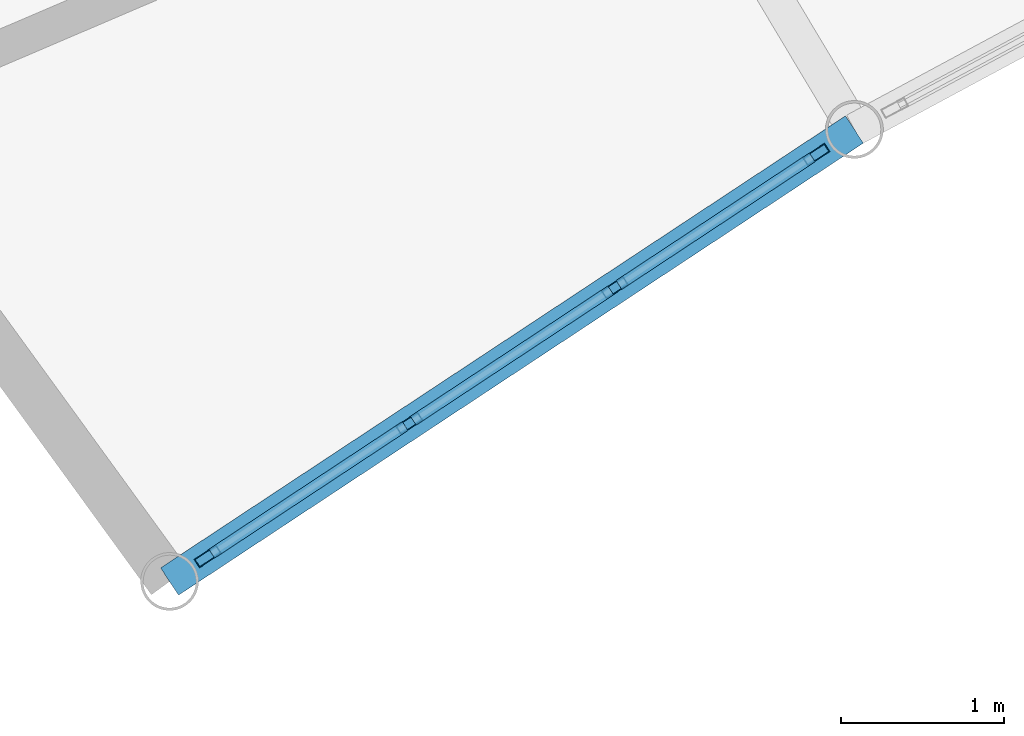
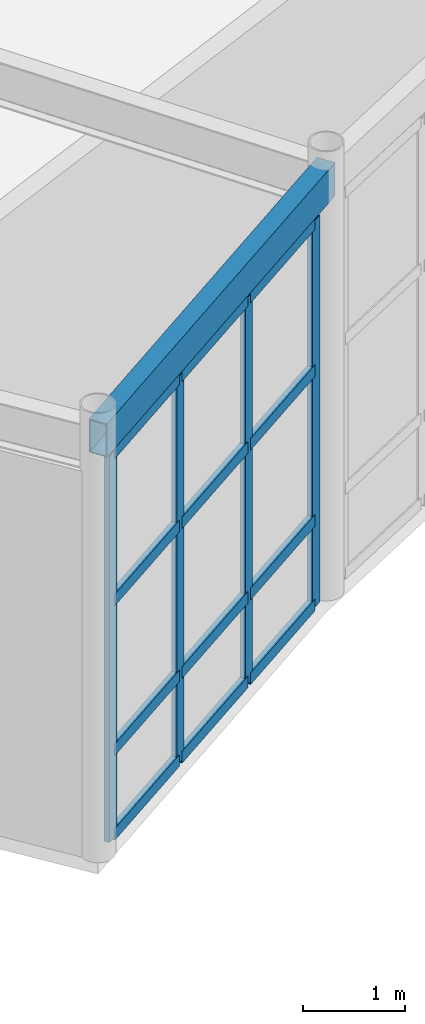
# One storey, part 42 of 87: 16 members, 1 beam, 1 element without a shape of its own.
"""IFC4 building model written with IfcOpenShell, lengths in metres."""

from ifc_helpers import new_model, si_unit, direction, frame, origin, origin_2d, place, context, subcontext, project, spatial, hollow_rectangle, extrude, material, layer, layer_set, material_profile, profile_set, type_object, element, aggregate, save


model = new_model("IFC4")

# Units and contexts
model_context = context("Model", 3, precision=1e-05, world=origin(), true_north=direction((0.0, 1.0)))
body_context = subcontext(model_context, "Body", "Model", "MODEL_VIEW")
ifc_project = project(units=[si_unit("LENGTHUNIT", "METRE"), si_unit("AREAUNIT", "SQUARE_METRE"), si_unit("VOLUMEUNIT", "CUBIC_METRE"), si_unit("PLANEANGLEUNIT", "RADIAN"), si_unit("MASSUNIT", "GRAM", prefix="KILO")], contexts=[model_context])

# Site, building, storey
site_placement = place(None, origin())
site = spatial("IfcSite", under=ifc_project, at=site_placement, CompositionType="ELEMENT")
building_placement = place(site_placement, origin())
building = spatial("IfcBuilding", under=site, at=building_placement, Name="Selat Folded Stagehouse", CompositionType="ELEMENT")
storey_placement = place(building_placement, origin())
storey = spatial("IfcBuildingStorey", under=building, at=storey_placement, Name="L00", CompositionType="ELEMENT", Elevation=0.0)

# Curtain wall, members
ifc_material_1 = material(Name="Aluminium 6063-T6", Category="aluminium")
ifc_layer = layer(ifc_material_1, 0.18994140625)
ifc_layer_set = layer_set([ifc_layer], Name="Aluminium 6063-T6")
curtain_wall_type = type_object("IfcCurtainWallType", Name="CW-REH-ARC", PredefinedType="NOTDEFINED", material=ifc_layer_set)
curtain_wall_placement = place(storey_placement, origin())
curtain_wall = element("IfcCurtainWall", 1, at=curtain_wall_placement, inside=storey, type_object=curtain_wall_type, Name="L00 curtain wall CW-REH-L00-00", PredefinedType="NOTDEFINED")
ifc_material_profile_1 = material_profile(ifc_material_1, hollow_rectangle(XDim=0.06005859375, YDim=0.159912109375, WallThickness=0.00390625, at=origin_2d()), Name="ALU 160x60x4.0")
ifc_profile_set_1 = profile_set([ifc_material_profile_1], Name="Aluminium 6063-T6")
member_type_1 = type_object("IfcMemberType", Name="CWM-MUL-160x60", PredefinedType="MULLION", material=ifc_profile_set_1)
member_1_placement = place(storey_placement, frame((63.44384765625, 85.9189453125, 0.0), z_axis=(0.0, 0.0, 1.0), x_axis=(0.550884695619, -0.834581363399, 0.0)))
member_1 = element("IfcMember", 2, at=member_1_placement, type_object=member_type_1, Name="CW-06 mullion 1", PredefinedType="MULLION", context=body_context, shape_type="SweptSolid", body=[
    extrude(hollow_rectangle(XDim=0.06005859375, YDim=0.159912109375, WallThickness=0.00390625, at=origin_2d()), origin(), (0.0, 0.0, 1.0), 4.64990234375),
])
member_2_placement = place(storey_placement, frame((62.210205078125, 85.1044921875, 0.0), z_axis=(0.0, 0.0, 1.0), x_axis=(0.550884695619, -0.834581363399, 0.0)))
member_2 = element("IfcMember", 3, at=member_2_placement, type_object=member_type_1, Name="CW-06 mullion 2", PredefinedType="MULLION", context=body_context, shape_type="SweptSolid", body=[
    extrude(hollow_rectangle(XDim=0.06005859375, YDim=0.159912109375, WallThickness=0.00390625, at=origin_2d()), origin(), (0.0, 0.0, 1.0), 4.64990234375),
])
member_3_placement = place(storey_placement, frame((60.951416015625, 84.273681640625, 0.0), z_axis=(0.0, 0.0, 1.0), x_axis=(0.550884695619, -0.834581363399, 0.0)))
member_3 = element("IfcMember", 4, at=member_3_placement, type_object=member_type_1, Name="CW-06 mullion 3", PredefinedType="MULLION", context=body_context, shape_type="SweptSolid", body=[
    extrude(hollow_rectangle(XDim=0.06005859375, YDim=0.159912109375, WallThickness=0.00390625, at=origin_2d()), origin(), (0.0, 0.0, 1.0), 4.64990234375),
])
member_4_placement = place(storey_placement, frame((59.717529296875, 83.459228515625, 0.0), z_axis=(0.0, 0.0, 1.0), x_axis=(0.550884695619, -0.834581363399, 0.0)))
member_4 = element("IfcMember", 5, at=member_4_placement, type_object=member_type_1, Name="CW-06 mullion 4", PredefinedType="MULLION", context=body_context, shape_type="SweptSolid", body=[
    extrude(hollow_rectangle(XDim=0.06005859375, YDim=0.159912109375, WallThickness=0.00390625, at=origin_2d()), origin(), (0.0, 0.0, 1.0), 4.64990234375),
])
ifc_material_profile_2 = material_profile(ifc_material_1, hollow_rectangle(XDim=0.06494140625, YDim=0.139892578125, WallThickness=0.00390625, at=origin_2d()), Name="ALU 140x65x4.0")
ifc_profile_set_2 = profile_set([ifc_material_profile_2], Name="Aluminium 6063-T6")
member_type_2 = type_object("IfcMemberType", Name="CWM-TRN-140x65", PredefinedType="USERDEFINED", material=ifc_profile_set_2)
member_5_placement = place(storey_placement, frame((63.4189453125, 85.90234375, 0.032470703125), z_axis=(-0.834584079601, -0.550880580595, 0.0), x_axis=(0.550880580595, -0.834584079601, 0.0)))
member_5 = element("IfcMember", 6, at=member_5_placement, type_object=member_type_2, Name="CW-06 transom 1.1", ObjectType="TRANSOM", PredefinedType="USERDEFINED", context=body_context, shape_type="SweptSolid", body=[
    extrude(hollow_rectangle(XDim=0.06494140625, YDim=0.139892578125, WallThickness=0.00390625, at=origin_2d()), origin(), (0.0, 0.0, 1.0), 1.418212890625),
])
member_6_placement = place(storey_placement, frame((63.4189453125, 85.90234375, 1.050048828125), z_axis=(-0.834584079601, -0.550880580595, 0.0), x_axis=(0.550880580595, -0.834584079601, 0.0)))
member_6 = element("IfcMember", 7, at=member_6_placement, type_object=member_type_2, Name="CW-06 transom 1.2", ObjectType="TRANSOM", PredefinedType="USERDEFINED", context=body_context, shape_type="SweptSolid", body=[
    extrude(hollow_rectangle(XDim=0.06494140625, YDim=0.139892578125, WallThickness=0.00390625, at=origin_2d()), origin(), (0.0, 0.0, 1.0), 1.418212890625),
])
member_7_placement = place(storey_placement, frame((63.4189453125, 85.90234375, 2.85009765625), z_axis=(-0.834584079601, -0.550880580595, 0.0), x_axis=(0.550880580595, -0.834584079601, 0.0)))
member_7 = element("IfcMember", 8, at=member_7_placement, type_object=member_type_2, Name="CW-06 transom 1.3", ObjectType="TRANSOM", PredefinedType="USERDEFINED", context=body_context, shape_type="SweptSolid", body=[
    extrude(hollow_rectangle(XDim=0.06494140625, YDim=0.139892578125, WallThickness=0.00390625, at=origin_2d()), origin(), (0.0, 0.0, 1.0), 1.418212890625),
])
member_8_placement = place(storey_placement, frame((63.4189453125, 85.90234375, 4.617431640625), z_axis=(-0.834584079601, -0.550880580595, 0.0), x_axis=(0.550880580595, -0.834584079601, 0.0)))
member_8 = element("IfcMember", 9, at=member_8_placement, type_object=member_type_2, Name="CW-06 transom 1.4", ObjectType="TRANSOM", PredefinedType="USERDEFINED", context=body_context, shape_type="SweptSolid", body=[
    extrude(hollow_rectangle(XDim=0.06494140625, YDim=0.139892578125, WallThickness=0.00390625, at=origin_2d()), origin(), (0.0, 0.0, 1.0), 1.418212890625),
])
member_9_placement = place(storey_placement, frame((62.18505859375, 85.087890625, 0.032470703125), z_axis=(-0.834583056491, -0.550882130603, 0.0), x_axis=(0.550882130603, -0.834583056491, 0.0)))
member_9 = element("IfcMember", 10, at=member_9_placement, type_object=member_type_2, Name="CW-06 transom 2.1", ObjectType="TRANSOM", PredefinedType="USERDEFINED", context=body_context, shape_type="SweptSolid", body=[
    extrude(hollow_rectangle(XDim=0.06494140625, YDim=0.139892578125, WallThickness=0.00390625, at=origin_2d()), origin(), (0.0, 0.0, 1.0), 1.4482421875),
])
member_10_placement = place(storey_placement, frame((62.18505859375, 85.087890625, 1.050048828125), z_axis=(-0.834583056491, -0.550882130603, 0.0), x_axis=(0.550882130603, -0.834583056491, 0.0)))
member_10 = element("IfcMember", 11, at=member_10_placement, type_object=member_type_2, Name="CW-06 transom 2.2", ObjectType="TRANSOM", PredefinedType="USERDEFINED", context=body_context, shape_type="SweptSolid", body=[
    extrude(hollow_rectangle(XDim=0.06494140625, YDim=0.139892578125, WallThickness=0.00390625, at=origin_2d()), origin(), (0.0, 0.0, 1.0), 1.4482421875),
])
member_11_placement = place(storey_placement, frame((62.18505859375, 85.087890625, 2.85009765625), z_axis=(-0.834583056491, -0.550882130603, 0.0), x_axis=(0.550882130603, -0.834583056491, 0.0)))
member_11 = element("IfcMember", 12, at=member_11_placement, type_object=member_type_2, Name="CW-06 transom 2.3", ObjectType="TRANSOM", PredefinedType="USERDEFINED", context=body_context, shape_type="SweptSolid", body=[
    extrude(hollow_rectangle(XDim=0.06494140625, YDim=0.139892578125, WallThickness=0.00390625, at=origin_2d()), origin(), (0.0, 0.0, 1.0), 1.4482421875),
])
member_12_placement = place(storey_placement, frame((62.18505859375, 85.087890625, 4.617431640625), z_axis=(-0.834583056491, -0.550882130603, 0.0), x_axis=(0.550882130603, -0.834583056491, 0.0)))
member_12 = element("IfcMember", 13, at=member_12_placement, type_object=member_type_2, Name="CW-06 transom 2.4", ObjectType="TRANSOM", PredefinedType="USERDEFINED", context=body_context, shape_type="SweptSolid", body=[
    extrude(hollow_rectangle(XDim=0.06494140625, YDim=0.139892578125, WallThickness=0.00390625, at=origin_2d()), origin(), (0.0, 0.0, 1.0), 1.4482421875),
])
member_13_placement = place(storey_placement, frame((60.92626953125, 84.257080078125, 0.032470703125), z_axis=(-0.834584079601, -0.550880580595, 0.0), x_axis=(0.550880580595, -0.834584079601, 0.0)))
member_13 = element("IfcMember", 14, at=member_13_placement, type_object=member_type_2, Name="CW-06 transom 3.1", ObjectType="TRANSOM", PredefinedType="USERDEFINED", context=body_context, shape_type="SweptSolid", body=[
    extrude(hollow_rectangle(XDim=0.06494140625, YDim=0.139892578125, WallThickness=0.00390625, at=origin_2d()), origin(), (0.0, 0.0, 1.0), 1.418212890625),
])
member_14_placement = place(storey_placement, frame((60.92626953125, 84.257080078125, 1.050048828125), z_axis=(-0.834584079601, -0.550880580595, 0.0), x_axis=(0.550880580595, -0.834584079601, 0.0)))
member_14 = element("IfcMember", 15, at=member_14_placement, type_object=member_type_2, Name="CW-06 transom 3.2", ObjectType="TRANSOM", PredefinedType="USERDEFINED", context=body_context, shape_type="SweptSolid", body=[
    extrude(hollow_rectangle(XDim=0.06494140625, YDim=0.139892578125, WallThickness=0.00390625, at=origin_2d()), origin(), (0.0, 0.0, 1.0), 1.418212890625),
])
member_15_placement = place(storey_placement, frame((60.92626953125, 84.257080078125, 2.85009765625), z_axis=(-0.834584079601, -0.550880580595, 0.0), x_axis=(0.550880580595, -0.834584079601, 0.0)))
member_15 = element("IfcMember", 16, at=member_15_placement, type_object=member_type_2, Name="CW-06 transom 3.3", ObjectType="TRANSOM", PredefinedType="USERDEFINED", context=body_context, shape_type="SweptSolid", body=[
    extrude(hollow_rectangle(XDim=0.06494140625, YDim=0.139892578125, WallThickness=0.00390625, at=origin_2d()), origin(), (0.0, 0.0, 1.0), 1.418212890625),
])
member_16_placement = place(storey_placement, frame((60.92626953125, 84.257080078125, 4.617431640625), z_axis=(-0.834584079601, -0.550880580595, 0.0), x_axis=(0.550880580595, -0.834584079601, 0.0)))
member_16 = element("IfcMember", 17, at=member_16_placement, type_object=member_type_2, Name="CW-06 transom 3.4", ObjectType="TRANSOM", PredefinedType="USERDEFINED", context=body_context, shape_type="SweptSolid", body=[
    extrude(hollow_rectangle(XDim=0.06494140625, YDim=0.139892578125, WallThickness=0.00390625, at=origin_2d()), origin(), (0.0, 0.0, 1.0), 1.418212890625),
])
aggregate(curtain_wall, [member_1, member_2, member_3, member_4, member_5, member_6, member_7, member_8, member_9, member_10, member_11, member_12, member_13, member_14, member_15, member_16])

# Beam
ifc_material_2 = material(Name="Steel S355", Category="steel")
ifc_material_profile_3 = material_profile(ifc_material_2, hollow_rectangle(XDim=0.199951171875, YDim=0.39990234375, WallThickness=0.012451171875, at=origin_2d()), Name="RHS 400x200x12.5")
ifc_profile_set_3 = profile_set([ifc_material_profile_3], Name="Steel S355")
beam_type = type_object("IfcBeamType", Name="SPD-EXT-400x200", PredefinedType="SPANDREL", material=ifc_profile_set_3)
beam_placement = place(storey_placement, frame((59.48388671875, 83.304931640625, 4.97998046875), z_axis=(0.834583047468, 0.550882144274, 0.0), x_axis=(-0.550882144274, 0.834583047468, 0.0)))
element("IfcBeam", 18, at=beam_placement, inside=storey, type_object=beam_type, Name="L00 inner curved rehearsal spandrel 1", PredefinedType="SPANDREL", context=body_context, shape_type="SweptSolid", body=[
    extrude(hollow_rectangle(XDim=0.199951171875, YDim=0.39990234375, WallThickness=0.012451171875, at=origin_2d()), origin(), (0.0, 0.0, 1.0), 5.02490234375),
])

save(model, "model.ifc")
